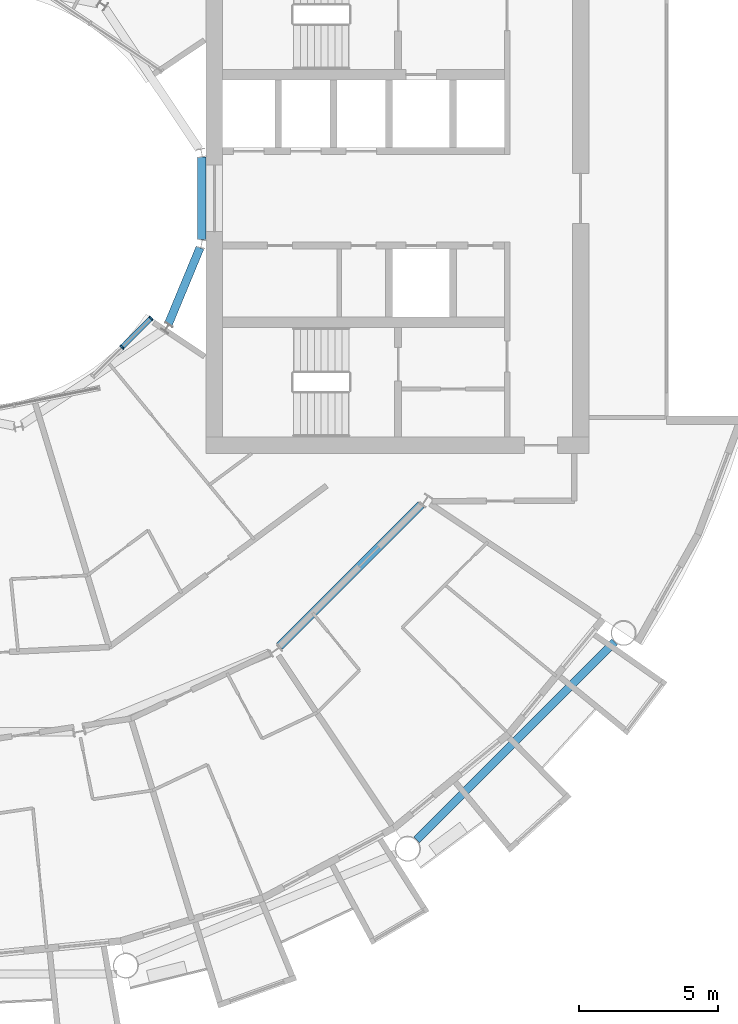
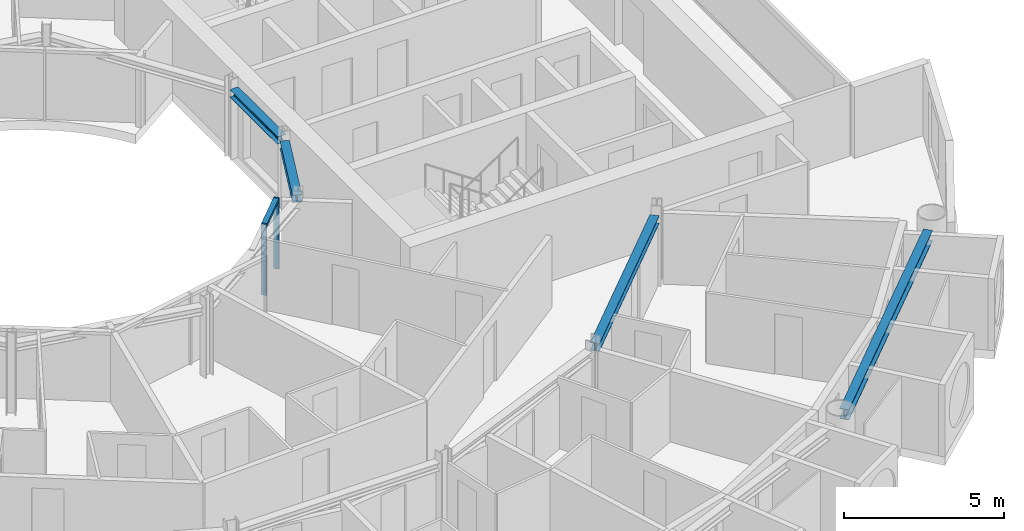
# One storey, part 7 of 27: 4 beams, 3 members, 1 element without a shape of its own.
"""IFC4 building model written with IfcOpenShell, lengths in metres."""

from ifc_helpers import new_model, si_unit, direction, frame, origin, origin_2d, place, context, subcontext, project, spatial, rectangle, i_section, extrude, material, layer, layer_set, material_profile, profile_set, type_object, element, aggregate, save


model = new_model("IFC4")

# Units and contexts
model_context = context("Model", 3, precision=1e-05, world=origin(), true_north=direction((0.0, 1.0)))
body_context = subcontext(model_context, "Body", "Model", "MODEL_VIEW")
ifc_project = project(units=[si_unit("LENGTHUNIT", "METRE"), si_unit("AREAUNIT", "SQUARE_METRE"), si_unit("VOLUMEUNIT", "CUBIC_METRE"), si_unit("PLANEANGLEUNIT", "RADIAN"), si_unit("MASSUNIT", "GRAM", prefix="KILO")], contexts=[model_context])

# Site, building, storey
site_placement = place(None, origin())
site = spatial("IfcSite", under=ifc_project, at=site_placement, CompositionType="ELEMENT")
building_placement = place(site_placement, origin())
building = spatial("IfcBuilding", under=site, at=building_placement, Name="Maasbend Ring Residences", CompositionType="ELEMENT")
storey_placement = place(building_placement, frame((0.0, 0.0, 126.89990234375)))
storey = spatial("IfcBuildingStorey", under=building, at=storey_placement, Name="L36", CompositionType="ELEMENT", Elevation=126.89990234375)

# Curtain wall, members
ifc_material_1 = material(Name="Aluminium and clear glass", Category="aluminium")
ifc_layer = layer(ifc_material_1, 0.179931640625)
ifc_layer_set = layer_set([ifc_layer], Name="CW-W")
curtain_wall_type = type_object("IfcCurtainWallType", Name="CW-W", PredefinedType="NOTDEFINED", material=ifc_layer_set)
curtain_wall_placement = place(storey_placement, origin())
curtain_wall = element("IfcCurtainWall", 1, at=curtain_wall_placement, inside=storey, type_object=curtain_wall_type, Name="Well curtain wall S3", PredefinedType="NOTDEFINED")
ifc_material_2 = material(Name="Aluminium 6063-T6", Category="aluminium")
ifc_material_profile_1 = material_profile(ifc_material_2, rectangle(XDim=0.179931640625, YDim=0.06005859375, at=origin_2d()), Name="AL 180x60")
ifc_profile_set_1 = profile_set([ifc_material_profile_1], Name="Aluminium 6063-T6")
member_type_1 = type_object("IfcMemberType", Name="CWM-W", PredefinedType="MULLION", material=ifc_profile_set_1)
member_1_placement = place(storey_placement, frame((5.366943359375, -5.366943359375, 0.0), z_axis=(0.0, 0.0, 1.0), x_axis=(-0.707106781187, 0.707106781187, 0.0)))
member_1 = element("IfcMember", 2, at=member_1_placement, type_object=member_type_1, Name="Mullion well face", PredefinedType="MULLION", context=body_context, shape_type="SweptSolid", body=[
    extrude(rectangle(XDim=0.179931640625, YDim=0.06005859375, at=origin_2d()), origin(), (0.0, 0.0, 1.0), 2.7001953125),
])
member_2_placement = place(storey_placement, frame((6.413330078125, -4.320556640625, 0.0), z_axis=(0.0, 0.0, 1.0), x_axis=(-0.707106781187, 0.707106781187, 0.0)))
member_2 = element("IfcMember", 3, at=member_2_placement, type_object=member_type_1, Name="Mullion well face", PredefinedType="MULLION", context=body_context, shape_type="SweptSolid", body=[
    extrude(rectangle(XDim=0.179931640625, YDim=0.06005859375, at=origin_2d()), origin(), (0.0, 0.0, 1.0), 2.7001953125),
])
ifc_material_3 = material(Name="Aluminium 6063-T6", Category="aluminium")
ifc_material_profile_2 = material_profile(ifc_material_3, rectangle(XDim=0.179931640625, YDim=0.1201171875, at=origin_2d()), Name="AL 180x120")
ifc_profile_set_2 = profile_set([ifc_material_profile_2], Name="Aluminium 6063-T6")
member_type_2 = type_object("IfcMemberType", Name="CWT-W", PredefinedType="USERDEFINED", material=ifc_profile_set_2)
member_3_placement = place(storey_placement, frame((5.38818359375, -5.345703125, 2.64013671875), z_axis=(0.707106781187, 0.707106781187, 0.0), x_axis=(-0.707106781187, 0.707106781187, 0.0)))
member_3 = element("IfcMember", 4, at=member_3_placement, type_object=member_type_2, Name="Transom well face", ObjectType="TRANSOM", PredefinedType="USERDEFINED", context=body_context, shape_type="SweptSolid", body=[
    extrude(rectangle(XDim=0.179931640625, YDim=0.1201171875, at=origin_2d()), origin(), (0.0, 0.0, 1.0), 1.419677734375),
])
aggregate(curtain_wall, [member_1, member_2, member_3])

# Beams
ifc_material_4 = material(Name="Steel S355J2", Category="steel")
ifc_material_profile_3 = material_profile(ifc_material_4, i_section(OverallWidth=0.300048828125, OverallDepth=0.2900390625, WebThickness=0.008544921875, FlangeThickness=0.013916015625, FilletRadius=0.027099609375, at=origin_2d()), Name="HEA 300")
ifc_profile_set_3 = profile_set([ifc_material_profile_3], Name="Steel S355J2")
beam_type_1 = type_object("IfcBeamType", Name="Corridor ring beam HEA 300", PredefinedType="BEAM", material=ifc_profile_set_3)
beam_1_placement = place(storey_placement, frame((11.044921875, -16.14111328125, 2.55517578125), z_axis=(0.707106781187, 0.707106781187, 0.0), x_axis=(-0.707106781187, 0.707106781187, 0.0)))
element("IfcBeam", 5, at=beam_1_placement, inside=storey, type_object=beam_type_1, Name="Corridor ring beam", PredefinedType="BEAM", context=body_context, shape_type="SweptSolid", body=[
    extrude(i_section(OverallWidth=0.300048828125, OverallDepth=0.2900390625, WebThickness=0.008544921875, FlangeThickness=0.013916015625, FilletRadius=0.027099609375, at=origin_2d()), origin(), (0.0, 0.0, 1.0), 7.20703125),
])
ifc_material_5 = material(Name="Steel S355J2", Category="steel")
ifc_material_profile_4 = material_profile(ifc_material_5, i_section(OverallWidth=0.300048828125, OverallDepth=0.39990234375, WebThickness=0.013427734375, FlangeThickness=0.02392578125, FilletRadius=0.027099609375, at=origin_2d()), Name="HEB 400")
ifc_profile_set_4 = profile_set([ifc_material_profile_4], Name="Steel S355J2")
beam_type_2 = type_object("IfcBeamType", Name="Spandrel ring beam HEB 400", PredefinedType="SPANDREL", material=ifc_profile_set_4)
beam_2_placement = place(storey_placement, frame((15.990234375, -23.124267578125, 2.5), z_axis=(0.707106781187, 0.707106781187, 0.0), x_axis=(-0.707106781187, 0.707106781187, 0.0)))
element("IfcBeam", 6, at=beam_2_placement, inside=storey, type_object=beam_type_2, Name="Spandrel ring beam", PredefinedType="SPANDREL", context=body_context, shape_type="SweptSolid", body=[
    extrude(i_section(OverallWidth=0.300048828125, OverallDepth=0.39990234375, WebThickness=0.013427734375, FlangeThickness=0.02392578125, FilletRadius=0.027099609375, at=origin_2d()), origin(), (0.0, 0.0, 1.0), 10.089111328125),
])
ifc_material_6 = material(Name="Steel S355J2", Category="steel")
ifc_material_profile_5 = material_profile(ifc_material_6, i_section(OverallWidth=0.300048828125, OverallDepth=0.2900390625, WebThickness=0.008544921875, FlangeThickness=0.013916015625, FilletRadius=0.027099609375, at=origin_2d()), Name="HEA 300")
ifc_profile_set_5 = profile_set([ifc_material_profile_5], Name="Steel S355J2")
beam_type_3 = type_object("IfcBeamType", Name="Well edge beam HEA 300", PredefinedType="BEAM", material=ifc_profile_set_5)
for number, where, z_axis, x_axis, name in (
    (7, (7.042724609375, -4.525390625, 2.55517578125), (0.382765370874, 0.923845588212, 0.0), (-0.923845588212, 0.382765370874, 0.0), "Well edge beam"),
    (8, (8.238525390625, -1.48583984375, 2.55517578125), (0.0, 1.0, 0.0), (-1.0, 0.0, 0.0), "Well edge beam"),
):
    element("IfcBeam", number, at=place(storey_placement, frame(where, z_axis=z_axis, x_axis=x_axis)), inside=storey, type_object=beam_type_3, Name=name, PredefinedType="BEAM", context=body_context, shape_type="SweptSolid", body=[
        extrude(i_section(OverallWidth=0.300048828125, OverallDepth=0.2900390625, WebThickness=0.008544921875, FlangeThickness=0.013916015625, FilletRadius=0.027099609375, at=origin_2d()), origin(), (0.0, 0.0, 1.0), 2.9716796875),
    ])

save(model, "model.ifc")
